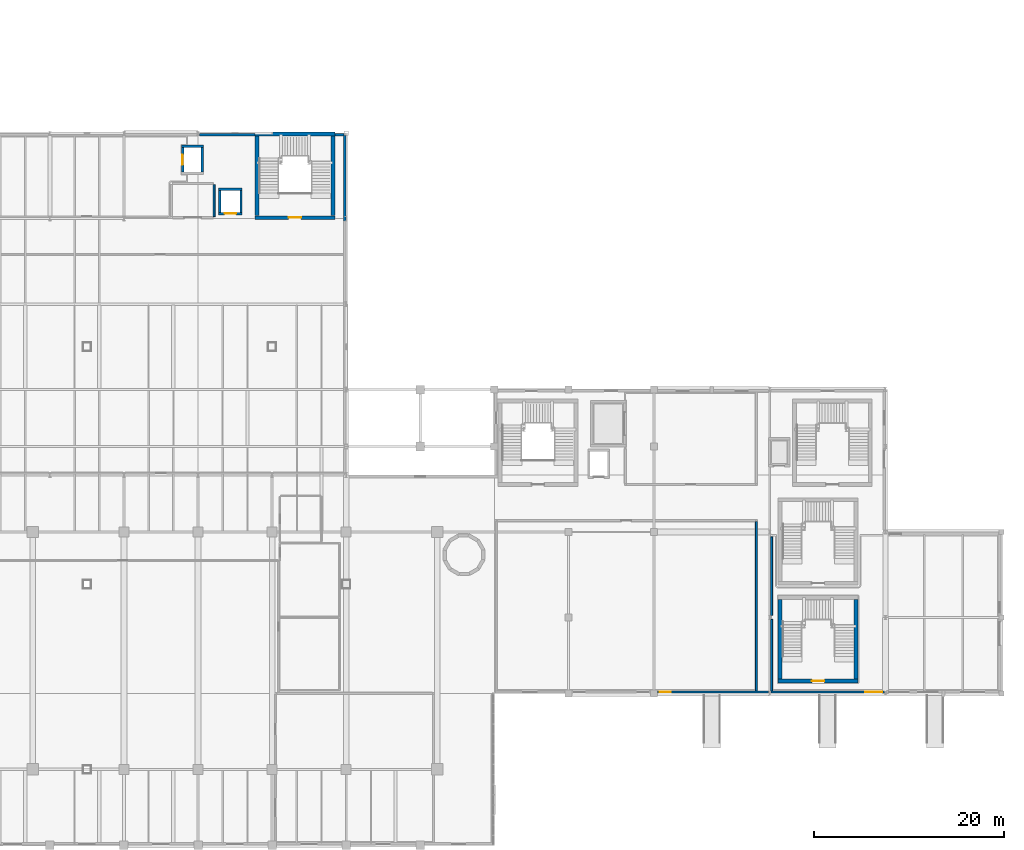
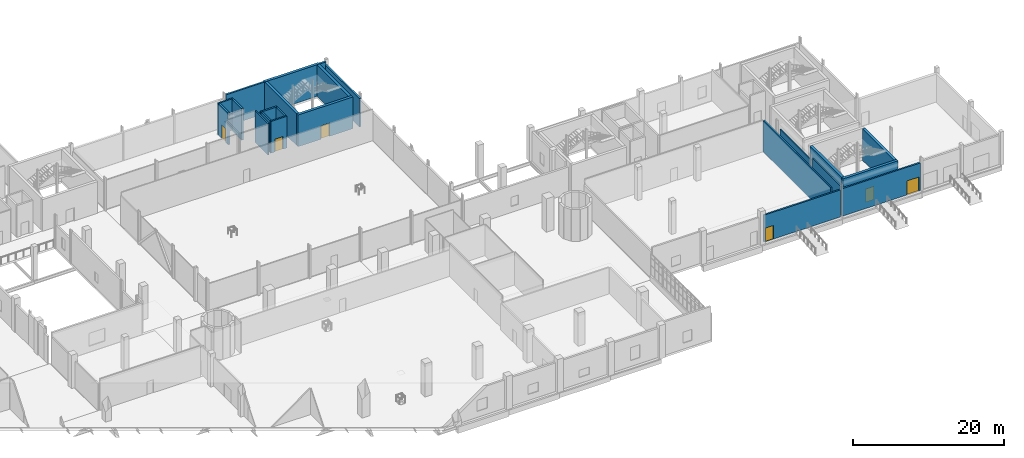
# One storey, part 46 of 57: 23 walls, 6 doors, 6 openings.
"""IFC4 building model written with IfcOpenShell, lengths in metres."""

from ifc_helpers import new_model, si_unit, derived_unit, direction, frame, frame_2d, origin, place, context, subcontext, project, spatial, rectangle, extrude, material, layer, layer_set, type_object, element, fill, save


model = new_model("IFC4")

# Units and contexts
model_context = context("Model", 3, precision=1e-05, world=origin(), true_north=direction((0.0, 1.0)))
body_context = subcontext(model_context, "Body", "Model", "MODEL_VIEW")
ifc_project = project(units=[si_unit("LENGTHUNIT", "METRE"), si_unit("AREAUNIT", "SQUARE_METRE"), si_unit("VOLUMEUNIT", "CUBIC_METRE"), si_unit("PLANEANGLEUNIT", "RADIAN"), si_unit("MASSUNIT", "GRAM", prefix="KILO"), derived_unit("THERMALTRANSMITTANCEUNIT", [(si_unit("POWERUNIT", "WATT"), 1), (si_unit("LENGTHUNIT", "METRE"), -2), (si_unit("THERMODYNAMICTEMPERATUREUNIT", "KELVIN"), -1)])], contexts=[model_context])

# Site, building, storey
site_placement = place(None, origin())
site = spatial("IfcSite", under=ifc_project, at=site_placement, CompositionType="ELEMENT")
building_placement = place(site_placement, origin())
building = spatial("IfcBuilding", under=site, at=building_placement, Name="Nallur Shell Playhouse", CompositionType="ELEMENT")
storey_placement = place(building_placement, origin())
storey = spatial("IfcBuildingStorey", under=building, at=storey_placement, Name="L01", CompositionType="ELEMENT", Elevation=0.0)

# Wall, opening, door
ifc_material_1 = material(Name="Concrete M45", Category="concrete")
ifc_layer_1 = layer(ifc_material_1, 0.39990234375)
ifc_layer_set_1 = layer_set([ifc_layer_1], Name="Concrete M45")
wall_type_1 = type_object("IfcWallType", Name="WL-CORE-400", PredefinedType="SHEAR", material=ifc_layer_set_1)
wall_1_placement = place(storey_placement, frame((93.39990234375, 74.10009765625, 0.0), z_axis=(0.0, 0.0, 1.0), x_axis=(1.0, 0.0, 0.0)))
wall_1 = element("IfcWall", 1, at=wall_1_placement, inside=storey, type_object=wall_type_1, Name="Joint Core JC-4 shear wall S (L01)", PredefinedType="SHEAR", context=body_context, shape_type="SweptSolid", body=[
    extrude(rectangle(XDim=8.400146484375, YDim=0.39990234375, at=frame_2d((4.2001953125, 0.0))), origin(), (0.0, 0.0, 1.0), 5.1201171875),
])
opening_1_placement = place(wall_1_placement, frame((3.550048828125, 0.0, 0.0)))
opening_1 = element("IfcOpeningElement", 2, at=opening_1_placement, cuts=wall_1, Name="Opening FD-ST2", PredefinedType="OPENING", context=body_context, shape_type="SweptSolid", body=[
    extrude(rectangle(XDim=1.300048828125, YDim=2.14990234375, at=frame_2d((0.64990234375, 1.074951171875))), frame((0.0, 0.2099609375, 0.0), z_axis=(0.0, -1.0, 0.0), x_axis=(1.0, 0.0, 0.0)), (0.0, 0.0, 1.0), 0.419921875),
])
ifc_material_2 = material(Name="Galvanised Steel Fire-Rated Stair Door", Category="steel")
door_type_1 = type_object("IfcDoorType", Name="DR-INT-STAIR-R", OperationType="SINGLE_SWING_RIGHT", PredefinedType="DOOR", material=ifc_material_2)
door_1_placement = place(opening_1_placement, origin())
door_1 = element("IfcDoor", 3, at=door_1_placement, inside=storey, type_object=door_type_1, Name="Exit stair ST-04 fire door (L01)", OperationType="SINGLE_SWING_RIGHT", OverallHeight=2.14990234375, OverallWidth=1.300048828125, PredefinedType="DOOR", context=body_context, shape_type="SweptSolid", body=[
    extrude(rectangle(XDim=1.300048828125, YDim=2.14990234375, at=frame_2d((0.64990234375, 1.074951171875))), frame((0.0, 0.02490234375, 0.0), z_axis=(0.0, -1.0, 0.0), x_axis=(1.0, 0.0, 0.0)), (0.0, 0.0, 1.0), 0.050048828125),
])
fill(opening_1, door_1)

# Walls
wall_2_placement = place(storey_placement, frame((101.800048828125, 82.89990234375, 0.0), z_axis=(0.0, 0.0, 1.0), x_axis=(-1.0, 0.0, 0.0)))
element("IfcWall", 4, at=wall_2_placement, inside=storey, type_object=wall_type_1, Name="Joint Core JC-4 shear wall N (L01)", PredefinedType="SHEAR", context=body_context, shape_type="SweptSolid", body=[
    extrude(rectangle(XDim=8.400146484375, YDim=0.39990234375, at=frame_2d((4.2001953125, 0.0))), origin(), (0.0, 0.0, 1.0), 5.1201171875),
])
for number, where, z_axis, x_axis, name in (
    (5, (101.60009765625, 74.31005859375, 0.0), (0.0, 0.0, 1.0), (0.0, 1.0, 0.0), "Joint Core JC-4 shear wall E (L01)"),
    (6, (93.60009765625, 82.68994140625, 0.0), (0.0, 0.0, 1.0), (0.0, -1.0, 0.0), "Joint Core JC-4 shear wall W (L01)"),
):
    element("IfcWall", number, at=place(storey_placement, frame(where, z_axis=z_axis, x_axis=x_axis)), inside=storey, type_object=wall_type_1, Name=name, PredefinedType="SHEAR", context=body_context, shape_type="SweptSolid", body=[
        extrude(rectangle(XDim=8.3798828125, YDim=0.39990234375, at=frame_2d((4.18994140625, 0.0))), origin(), (0.0, 0.0, 1.0), 5.1201171875),
    ])

# Wall, opening, door
wall_3_placement = place(storey_placement, frame((148.5, 25.300048828125, 0.0), z_axis=(0.0, 0.0, 1.0), x_axis=(1.0, 0.0, 0.0)))
wall_3 = element("IfcWall", 7, at=wall_3_placement, inside=storey, type_object=wall_type_1, Name="Joint Core JC-8 shear wall S (L01)", PredefinedType="SHEAR", context=body_context, shape_type="SweptSolid", body=[
    extrude(rectangle(XDim=8.39990234375, YDim=0.39990234375, at=frame_2d((4.199951171875, 0.0))), origin(), (0.0, 0.0, 1.0), 5.1201171875),
])
opening_2_placement = place(wall_3_placement, frame((3.550048828125, 0.0, 0.0)))
opening_2 = element("IfcOpeningElement", 8, at=opening_2_placement, cuts=wall_3, Name="Opening FD-ST1", PredefinedType="OPENING", context=body_context, shape_type="SweptSolid", body=[
    extrude(rectangle(XDim=1.300048828125, YDim=2.14990234375, at=frame_2d((0.64990234375, 1.074951171875))), frame((0.0, 0.2099609375, 0.0), z_axis=(0.0, -1.0, 0.0), x_axis=(1.0, 0.0, 0.0)), (0.0, 0.0, 1.0), 0.419921875),
])
door_type_2 = type_object("IfcDoorType", Name="DR-INT-STAIR-L", OperationType="SINGLE_SWING_LEFT", PredefinedType="DOOR", material=ifc_material_2)
door_2_placement = place(opening_2_placement, origin())
door_2 = element("IfcDoor", 9, at=door_2_placement, inside=storey, type_object=door_type_2, Name="Exit stair ST-08 fire door (L01)", OperationType="SINGLE_SWING_LEFT", OverallHeight=2.14990234375, OverallWidth=1.300048828125, PredefinedType="DOOR", context=body_context, shape_type="SweptSolid", body=[
    extrude(rectangle(XDim=1.300048828125, YDim=2.14990234375, at=frame_2d((0.64990234375, 1.074951171875))), frame((0.0, 0.02490234375, 0.0), z_axis=(0.0, -1.0, 0.0), x_axis=(1.0, 0.0, 0.0)), (0.0, 0.0, 1.0), 0.050048828125),
])
fill(opening_2, door_2)

# Walls
for number, where, z_axis, x_axis, name in (
    (10, (156.699951171875, 25.510009765625, 0.0), (0.0, 0.0, 1.0), (0.0, 1.0, 0.0), "Joint Core JC-8 shear wall E (L01)"),
    (11, (148.699951171875, 33.889892578125, 0.0), (0.0, 0.0, 1.0), (0.0, -1.0, 0.0), "Joint Core JC-8 shear wall W (L01)"),
):
    element("IfcWall", number, at=place(storey_placement, frame(where, z_axis=z_axis, x_axis=x_axis)), inside=storey, type_object=wall_type_1, Name=name, PredefinedType="SHEAR", context=body_context, shape_type="SweptSolid", body=[
        extrude(rectangle(XDim=8.3798828125, YDim=0.39990234375, at=frame_2d((4.18994140625, 0.0))), origin(), (0.0, 0.0, 1.0), 5.1201171875),
    ])

# Wall, opening, door
ifc_material_3 = material(Name="Precast concrete M40", Category="concrete")
ifc_layer_2 = layer(ifc_material_3, 0.239990234375)
ifc_layer_set_2 = layer_set([ifc_layer_2], Name="Precast concrete M40")
wall_type_2 = type_object("IfcWallType", Name="WL-EXT-CLAD240", PredefinedType="ELEMENTEDWALL", material=ifc_layer_set_2)
wall_4_placement = place(storey_placement, frame((159.6669921875, 24.139892578125, 0.0), z_axis=(0.0, 0.0, 1.0), x_axis=(-1.0, 0.0, 0.0)))
wall_4 = element("IfcWall", 12, at=wall_4_placement, inside=storey, type_object=wall_type_2, Name="L01 exterior wall EW-L01-041", PredefinedType="ELEMENTEDWALL", context=body_context, shape_type="SweptSolid", body=[
    extrude(rectangle(XDim=11.93408203125, YDim=0.239990234375, at=frame_2d((5.967041015625, 0.0))), origin(), (0.0, 0.0, 1.0), 4.455078125),
])
opening_3_placement = place(wall_4_placement, frame((0.219970703125, 0.0, 0.0)))
opening_3 = element("IfcOpeningElement", 13, at=opening_3_placement, cuts=wall_4, Name="Opening ED-03", PredefinedType="OPENING", context=body_context, shape_type="SweptSolid", body=[
    extrude(rectangle(XDim=1.800048828125, YDim=2.25, at=frame_2d((0.89990234375, 1.125))), frame((0.0, 0.1298828125, 0.0), z_axis=(0.0, -1.0, 0.0), x_axis=(1.0, 0.0, 0.0)), (0.0, 0.0, 1.0), 0.260009765625),
])
ifc_material_4 = material(Name="Galvanised Steel Emergency Exit Double Door", Category="steel")
door_type_3 = type_object("IfcDoorType", Name="DR-EXT-DBL1800", OperationType="DOUBLE_DOOR_SINGLE_SWING", PredefinedType="DOOR", material=ifc_material_4)
door_3_placement = place(opening_3_placement, origin())
door_3 = element("IfcDoor", 14, at=door_3_placement, inside=storey, type_object=door_type_3, Name="Ground floor exterior exit door ED-L01-19", OperationType="DOUBLE_DOOR_SINGLE_SWING", OverallHeight=2.25, OverallWidth=1.800048828125, PredefinedType="DOOR", context=body_context, shape_type="SweptSolid", body=[
    extrude(rectangle(XDim=1.800048828125, YDim=2.25, at=frame_2d((0.89990234375, 1.125))), frame((0.0, 0.02490234375, 0.0), z_axis=(0.0, -1.0, 0.0), x_axis=(1.0, 0.0, 0.0)), (0.0, 0.0, 1.0), 0.050048828125),
])
fill(opening_3, door_3)

wall_5_placement = place(storey_placement, frame((147.467041015625, 24.139892578125, 0.0), z_axis=(0.0, 0.0, 1.0), x_axis=(-1.0, 0.0, 0.0)))
wall_5 = element("IfcWall", 15, at=wall_5_placement, inside=storey, type_object=wall_type_2, Name="L01 exterior wall EW-L01-042", PredefinedType="ELEMENTEDWALL", context=body_context, shape_type="SweptSolid", body=[
    extrude(rectangle(XDim=11.68408203125, YDim=0.239990234375, at=frame_2d((5.842041015625, 0.0))), origin(), (0.0, 0.0, 1.0), 4.35498046875),
])
opening_4_placement = place(wall_5_placement, frame((10.263916015625, 0.0, 0.0)))
opening_4 = element("IfcOpeningElement", 16, at=opening_4_placement, cuts=wall_5, Name="Opening ED-04", PredefinedType="OPENING", context=body_context, shape_type="SweptSolid", body=[
    extrude(rectangle(XDim=1.199951171875, YDim=2.199951171875, at=frame_2d((0.60009765625, 1.10009765625))), frame((0.0, 0.1298828125, 0.0), z_axis=(0.0, -1.0, 0.0), x_axis=(1.0, 0.0, 0.0)), (0.0, 0.0, 1.0), 0.260009765625),
])
ifc_material_5 = material(Name="Galvanised Steel Exterior Exit Door", Category="steel")
door_type_4 = type_object("IfcDoorType", Name="DR-EXT-SGL1200", OperationType="SINGLE_SWING_LEFT", PredefinedType="DOOR", material=ifc_material_5)
door_4_placement = place(opening_4_placement, origin())
door_4 = element("IfcDoor", 17, at=door_4_placement, inside=storey, type_object=door_type_4, Name="Ground floor exterior exit door ED-L01-20", OperationType="SINGLE_SWING_LEFT", OverallHeight=2.199951171875, OverallWidth=1.199951171875, PredefinedType="DOOR", context=body_context, shape_type="SweptSolid", body=[
    extrude(rectangle(XDim=1.199951171875, YDim=2.199951171875, at=frame_2d((0.60009765625, 1.10009765625))), frame((0.0, 0.02490234375, 0.0), z_axis=(0.0, -1.0, 0.0), x_axis=(1.0, 0.0, 0.0)), (0.0, 0.0, 1.0), 0.050048828125),
])
fill(opening_4, door_4)

# Walls
ifc_material_6 = material(Name="Concrete M30", Category="concrete")
ifc_layer_3 = layer(ifc_material_6, 0.280029296875)
ifc_layer_set_3 = layer_set([ifc_layer_3], Name="Concrete M30")
wall_type_3 = type_object("IfcWallType", Name="WL-EXT-INS280", PredefinedType="STANDARD", material=ifc_layer_set_3)
wall_6_placement = place(storey_placement, frame((87.532958984375, 82.840087890625, 0.0), z_axis=(0.0, 0.0, 1.0), x_axis=(1.0, 0.0, 0.0)))
element("IfcWall", 18, at=wall_6_placement, inside=storey, type_object=wall_type_3, Name="L01 exterior wall EW-L01-019", PredefinedType="STANDARD", context=body_context, shape_type="SweptSolid", body=[
    extrude(rectangle(XDim=5.863037109375, YDim=0.280029296875, at=frame_2d((2.931640625, 0.0))), origin(), (0.0, 0.0, 1.0), 5.1201171875),
])
wall_7_placement = place(storey_placement, frame((102.840087890625, 82.76708984375, 0.0), z_axis=(0.0, 0.0, 1.0), x_axis=(0.0, -1.0, 0.0)))
element("IfcWall", 19, at=wall_7_placement, inside=storey, type_object=wall_type_3, Name="L01 exterior wall EW-L01-021", PredefinedType="STANDARD", context=body_context, shape_type="SweptSolid", body=[
    extrude(rectangle(XDim=9.0, YDim=0.280029296875, at=frame_2d((4.5, 0.0))), origin(), (0.0, 0.0, 1.0), 4.60498046875),
])
ifc_material_7 = material(Name="Concrete M35", Category="concrete")
ifc_layer_4 = layer(ifc_material_7, 0.300048828125)
ifc_layer_set_4 = layer_set([ifc_layer_4], Name="Concrete M35")
wall_type_4 = type_object("IfcWallType", Name="WL-EXT-RC300", PredefinedType="STANDARD", material=ifc_layer_set_4)
wall_8_placement = place(storey_placement, frame((101.803955078125, 82.830078125, 0.0), z_axis=(0.0, 0.0, 1.0), x_axis=(1.0, 0.0, 0.0)))
element("IfcWall", 20, at=wall_8_placement, inside=storey, type_object=wall_type_4, Name="L01 exterior wall EW-L01-020", PredefinedType="STANDARD", context=body_context, shape_type="SweptSolid", body=[
    extrude(rectangle(XDim=0.963134765625, YDim=0.300048828125, at=frame_2d((0.4814453125, 0.0))), origin(), (0.0, 0.0, 1.0), 5.1201171875),
])
ifc_layer_5 = layer(ifc_material_6, 0.199951171875)
ifc_layer_set_5 = layer_set([ifc_layer_5], Name="Concrete M30")
wall_type_5 = type_object("IfcWallType", Name="WL-PART-AC200", PredefinedType="PARTITIONING", material=ifc_layer_set_5)
wall_9_placement = place(storey_placement, frame((89.10009765625, 77.580078125, 0.0), z_axis=(0.0, 0.0, 1.0), x_axis=(0.0, -1.0, 0.0)))
element("IfcWall", 21, at=wall_9_placement, inside=storey, type_object=wall_type_5, Name="Firefighting Lobby JC-4 partition IW-L01-0037", PredefinedType="PARTITIONING", context=body_context, shape_type="SweptSolid", body=[
    extrude(rectangle(XDim=3.360107421875, YDim=0.199951171875, at=frame_2d((1.68017578125, 0.0))), origin(), (0.0, 0.0, 1.0), 5.110107421875),
])
wall_10_placement = place(storey_placement, frame((146.199951171875, 42.080078125, 0.0), z_axis=(0.0, 0.0, 1.0), x_axis=(0.0, -1.0, 0.0)))
element("IfcWall", 22, at=wall_10_placement, inside=storey, type_object=wall_type_5, Name="Monsoon Courtyard Arts Cafe partition IW-L01-0060", PredefinedType="PARTITIONING", context=body_context, shape_type="SweptSolid", body=[
    extrude(rectangle(XDim=17.816162109375, YDim=0.199951171875, at=frame_2d((8.908203125, 0.0))), origin(), (0.0, 0.0, 1.0), 5.110107421875),
])
wall_11_placement = place(storey_placement, frame((147.800048828125, 24.263916015625, 0.0), z_axis=(0.0, 0.0, 1.0), x_axis=(0.0, 1.0, 0.0)))
element("IfcWall", 23, at=wall_11_placement, inside=storey, type_object=wall_type_5, Name="Performing Arts Bookshop & Design Store partition IW-L01-0065", PredefinedType="PARTITIONING", context=body_context, shape_type="SweptSolid", body=[
    extrude(rectangle(XDim=7.52099609375, YDim=0.199951171875, at=frame_2d((3.760498046875, 0.0))), origin(), (0.0, 0.0, 1.0), 4.64990234375),
])
wall_12_placement = place(storey_placement, frame((147.800048828125, 32.215087890625, 0.0), z_axis=(0.0, 0.0, 1.0), x_axis=(0.0, 1.0, 0.0)))
element("IfcWall", 24, at=wall_12_placement, inside=storey, type_object=wall_type_5, Name="Performing Arts Bookshop & Design Store partition IW-L01-0066", PredefinedType="PARTITIONING", context=body_context, shape_type="SweptSolid", body=[
    extrude(rectangle(XDim=8.264892578125, YDim=0.199951171875, at=frame_2d((4.13232421875, 0.0))), origin(), (0.0, 0.0, 1.0), 4.10009765625),
])

# Wall, opening, door
ifc_layer_6 = layer(ifc_material_1, 0.25)
ifc_layer_set_6 = layer_set([ifc_layer_6], Name="Concrete M45")
wall_type_6 = type_object("IfcWallType", Name="WL-SHAFT-250", PredefinedType="STANDARD", material=ifc_layer_set_6)
wall_13_placement = place(storey_placement, frame((89.550048828125, 74.52490234375, 0.0), z_axis=(0.0, 0.0, 1.0), x_axis=(1.0, 0.0, 0.0)))
wall_13 = element("IfcWall", 25, at=wall_13_placement, inside=storey, type_object=wall_type_6, Name="Fireman's Lift FL-2 shaft wall south (L01)", PredefinedType="STANDARD", context=body_context, shape_type="SweptSolid", body=[
    extrude(rectangle(XDim=2.5, YDim=0.25, at=frame_2d((1.25, 0.0))), origin(), (0.0, 0.0, 1.0), 5.110107421875),
])
opening_5_placement = place(wall_13_placement, frame((0.64990234375, 0.0, 0.0)))
opening_5 = element("IfcOpeningElement", 26, at=opening_5_placement, cuts=wall_13, Name="Opening LD-F1", PredefinedType="OPENING", context=body_context, shape_type="SweptSolid", body=[
    extrude(rectangle(XDim=1.199951171875, YDim=2.050048828125, at=frame_2d((0.60009765625, 1.02490234375))), frame((0.0, 0.135009765625, 0.0), z_axis=(0.0, -1.0, 0.0), x_axis=(1.0, 0.0, 0.0)), (0.0, 0.0, 1.0), 0.27001953125),
])
ifc_material_8 = material(Name="Fireman Lift Fire-Rated Sliding Landing Door")
door_type_5 = type_object("IfcDoorType", Name="DR-LIFT-FIRE", OperationType="DOUBLE_DOOR_SLIDING", PredefinedType="DOOR", material=ifc_material_8)
door_5_placement = place(opening_5_placement, origin())
door_5 = element("IfcDoor", 27, at=door_5_placement, inside=storey, type_object=door_type_5, Name="Fireman's Lift FL-2 sliding landing door (L01)", OperationType="DOUBLE_DOOR_SLIDING", OverallHeight=2.050048828125, OverallWidth=1.199951171875, PredefinedType="DOOR", context=body_context, shape_type="SweptSolid", body=[
    extrude(rectangle(XDim=1.199951171875, YDim=2.050048828125, at=frame_2d((0.60009765625, 1.02490234375))), frame((0.0, 0.02490234375, 0.0), z_axis=(0.0, -1.0, 0.0), x_axis=(1.0, 0.0, 0.0)), (0.0, 0.0, 1.0), 0.050048828125),
])
fill(opening_5, door_5)

# Walls
wall_14_placement = place(storey_placement, frame((92.050048828125, 77.074951171875, 0.0), z_axis=(0.0, 0.0, 1.0), x_axis=(-1.0, 0.0, 0.0)))
element("IfcWall", 28, at=wall_14_placement, inside=storey, type_object=wall_type_6, Name="Fireman's Lift FL-2 shaft wall north (L01)", PredefinedType="STANDARD", context=body_context, shape_type="SweptSolid", body=[
    extrude(rectangle(XDim=2.5, YDim=0.25, at=frame_2d((1.25, 0.0))), origin(), (0.0, 0.0, 1.0), 5.110107421875),
])
for number, where, z_axis, x_axis, name in (
    (29, (91.925048828125, 74.659912109375, 0.0), (0.0, 0.0, 1.0), (0.0, 1.0, 0.0), "Fireman's Lift FL-2 shaft wall east (L01)"),
    (30, (89.675048828125, 76.93994140625, 0.0), (0.0, 0.0, 1.0), (0.0, -1.0, 0.0), "Fireman's Lift FL-2 shaft wall west (L01)"),
):
    element("IfcWall", number, at=place(storey_placement, frame(where, z_axis=z_axis, x_axis=x_axis)), inside=storey, type_object=wall_type_6, Name=name, PredefinedType="STANDARD", context=body_context, shape_type="SweptSolid", body=[
        extrude(rectangle(XDim=2.280029296875, YDim=0.25, at=frame_2d((1.14013671875, 0.0))), origin(), (0.0, 0.0, 1.0), 5.110107421875),
    ])
wall_15_placement = place(storey_placement, frame((87.949951171875, 81.625, 0.0), z_axis=(0.0, 0.0, 1.0), x_axis=(-1.0, 0.0, 0.0)))
element("IfcWall", 31, at=wall_15_placement, inside=storey, type_object=wall_type_6, Name="Passenger Lift PL-4 shaft wall north (L01)", PredefinedType="STANDARD", context=body_context, shape_type="SweptSolid", body=[
    extrude(rectangle(XDim=2.300048828125, YDim=0.25, at=frame_2d((1.14990234375, 0.0))), origin(), (0.0, 0.0, 1.0), 5.110107421875),
])
wall_16_placement = place(storey_placement, frame((87.824951171875, 78.909912109375, 0.0), z_axis=(0.0, 0.0, 1.0), x_axis=(0.0, 1.0, 0.0)))
element("IfcWall", 32, at=wall_16_placement, inside=storey, type_object=wall_type_6, Name="Passenger Lift PL-4 shaft wall east (L01)", PredefinedType="STANDARD", context=body_context, shape_type="SweptSolid", body=[
    extrude(rectangle(XDim=2.580078125, YDim=0.25, at=frame_2d((1.2900390625, 0.0))), origin(), (0.0, 0.0, 1.0), 5.110107421875),
])

# Wall, opening, door
wall_17_placement = place(storey_placement, frame((85.77490234375, 81.489990234375, 0.0), z_axis=(0.0, 0.0, 1.0), x_axis=(0.0, -1.0, 0.0)))
wall_17 = element("IfcWall", 33, at=wall_17_placement, inside=storey, type_object=wall_type_6, Name="Passenger Lift PL-4 shaft wall west (L01)", PredefinedType="STANDARD", context=body_context, shape_type="SweptSolid", body=[
    extrude(rectangle(XDim=2.580078125, YDim=0.25, at=frame_2d((1.2900390625, 0.0))), origin(), (0.0, 0.0, 1.0), 5.110107421875),
])
opening_6_placement = place(wall_17_placement, frame((0.739990234375, 0.0, 0.0)))
opening_6 = element("IfcOpeningElement", 34, at=opening_6_placement, cuts=wall_17, Name="Opening LD-P1", PredefinedType="OPENING", context=body_context, shape_type="SweptSolid", body=[
    extrude(rectangle(XDim=1.10009765625, YDim=2.14990234375, at=frame_2d((0.550048828125, 1.074951171875))), frame((0.0, 0.135009765625, 0.0), z_axis=(0.0, -1.0, 0.0), x_axis=(1.0, 0.0, 0.0)), (0.0, 0.0, 1.0), 0.27001953125),
])
ifc_material_9 = material(Name="Brushed Stainless Steel Lift Landing Door", Category="steel")
door_type_6 = type_object("IfcDoorType", Name="DR-LIFT-PASS", OperationType="DOUBLE_DOOR_SLIDING", PredefinedType="DOOR", material=ifc_material_9)
door_6_placement = place(opening_6_placement, origin())
door_6 = element("IfcDoor", 35, at=door_6_placement, inside=storey, type_object=door_type_6, Name="Passenger Lift PL-4 sliding landing door (L01)", OperationType="DOUBLE_DOOR_SLIDING", OverallHeight=2.14990234375, OverallWidth=1.10009765625, PredefinedType="DOOR", context=body_context, shape_type="SweptSolid", body=[
    extrude(rectangle(XDim=1.10009765625, YDim=2.14990234375, at=frame_2d((0.550048828125, 1.074951171875))), frame((0.0, 0.02490234375, 0.0), z_axis=(0.0, -1.0, 0.0), x_axis=(1.0, 0.0, 0.0)), (0.0, 0.0, 1.0), 0.050048828125),
])
fill(opening_6, door_6)

save(model, "model.ifc")
